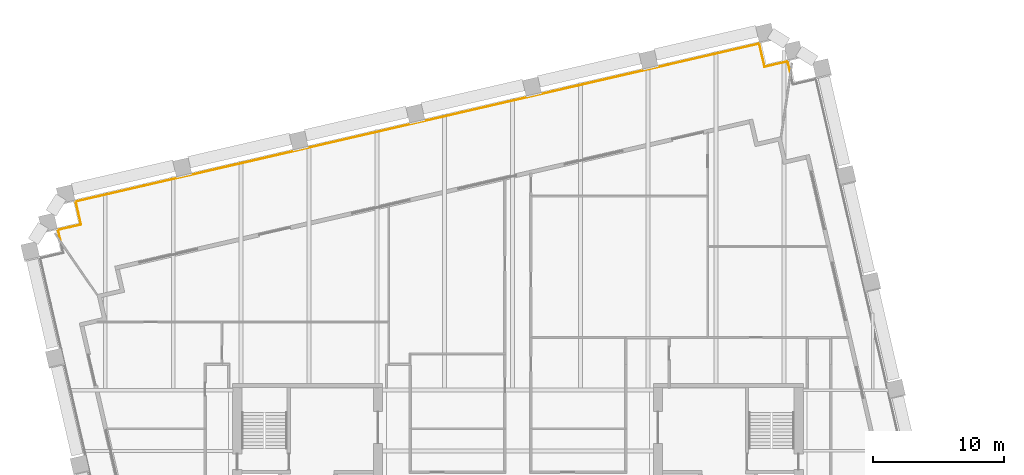
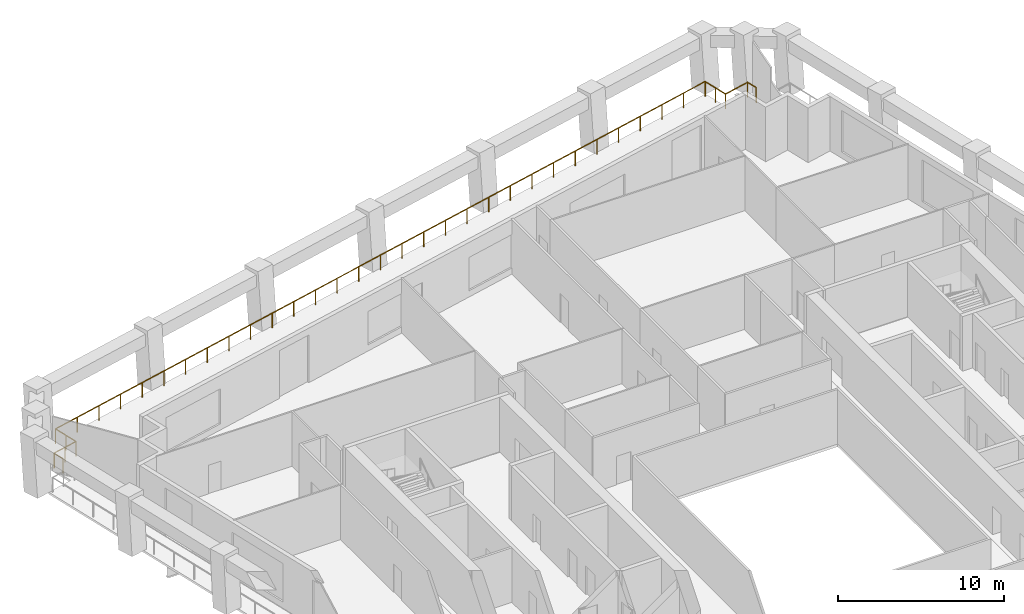
# One storey, part 11 of 11: 1 railing.
"""IFC4 building model written with IfcOpenShell, lengths in metres."""

from ifc_helpers import new_model, si_unit, direction, frame, origin, origin_2d, place, context, subcontext, project, spatial, circle, extrude, material, type_object, element, save


model = new_model("IFC4")

# Units and contexts
model_context = context("Model", 3, precision=1e-05, world=origin(), true_north=direction((0.0, 1.0)))
body_context = subcontext(model_context, "Body", "Model", "MODEL_VIEW")
ifc_project = project(units=[si_unit("LENGTHUNIT", "METRE"), si_unit("AREAUNIT", "SQUARE_METRE"), si_unit("VOLUMEUNIT", "CUBIC_METRE"), si_unit("PLANEANGLEUNIT", "RADIAN"), si_unit("MASSUNIT", "GRAM", prefix="KILO")], contexts=[model_context])

# Site, building, storey
site_placement = place(None, origin())
site = spatial("IfcSite", under=ifc_project, at=site_placement, CompositionType="ELEMENT")
building_placement = place(site_placement, origin())
building = spatial("IfcBuilding", under=site, at=building_placement, Name="Ogive Exchange Tower", CompositionType="ELEMENT")
storey_placement = place(building_placement, frame((0.0, 0.0, 209.39990234375)))
storey = spatial("IfcBuildingStorey", under=building, at=storey_placement, Name="L46", CompositionType="ELEMENT", Elevation=209.39990234375)

# Railing
ifc_material = material(Name="Stainless steel 316", Category="steel")
railing_type = type_object("IfcRailingType", Name="Guard 1100 stainless steel and glass", PredefinedType="GUARDRAIL", material=ifc_material)
railing_placement = place(storey_placement, frame((-34.810546875, 36.67578125, -0.0498046875)))
element("IfcRailing", 1, at=railing_placement, inside=storey, type_object=railing_type, Name="Loggia guard 3", PredefinedType="GUARDRAIL", context=body_context, shape_type="SweptSolid", body=[
    extrude(circle(Radius=0.02392578125, at=origin_2d()), frame((0.0, 0.0, 1.076171875), z_axis=(-0.224974727697, 0.974364599058, 0.0), x_axis=(-0.974364599058, -0.224974727697, 0.0)), (0.0, 0.0, 1.0), 0.773681640625),
    extrude(circle(Radius=0.02392578125, at=origin_2d()), frame((-0.174072265625, 0.75390625, 1.076171875), z_axis=(0.974356896201, 0.225008086135, 0.0), x_axis=(-0.225008086135, 0.974356896201, 0.0)), (0.0, 0.0, 1.0), 1.800048828125),
    extrude(circle(Radius=0.02392578125, at=origin_2d()), frame((1.579833984375, 1.158935546875, 1.076171875), z_axis=(-0.225008086135, 0.974356896201, 0.0), x_axis=(-0.974356896201, -0.225008086135, 0.0)), (0.0, 0.0, 1.0), 1.800048828125),
    extrude(circle(Radius=0.02392578125, at=origin_2d()), frame((1.1748046875, 2.912841796875, 1.076171875), z_axis=(0.97436998541, 0.224951398156, 0.0), x_axis=(-0.224951398156, 0.97436998541, 0.0)), (0.0, 0.0, 1.0), 53.360107421875),
    extrude(circle(Radius=0.02392578125, at=origin_2d()), frame((53.167236328125, 14.916259765625, 1.076171875), z_axis=(0.225008086135, -0.974356896201, 0.0), x_axis=(0.974356896201, 0.225008086135, 0.0)), (0.0, 0.0, 1.0), 1.800048828125),
    extrude(circle(Radius=0.02392578125, at=origin_2d()), frame((53.572265625, 13.162353515625, 1.076171875), z_axis=(0.974379763188, 0.224909041816, 0.0), x_axis=(-0.224909041816, 0.974379763188, 0.0)), (0.0, 0.0, 1.0), 1.7998046875),
    extrude(circle(Radius=0.02392578125, at=origin_2d()), frame((55.325927734375, 13.567138671875, 1.076171875), z_axis=(0.224974727697, -0.974364599058, 0.0), x_axis=(0.974364599058, 0.224974727697, 0.0)), (0.0, 0.0, 1.0), 0.773681640625),
    extrude(circle(Radius=0.02099609375, at=origin_2d()), origin(), (0.0, 0.0, 1.0), 1.052001953125),
    extrude(circle(Radius=0.02099609375, at=origin_2d()), frame((-0.174072265625, 0.75390625, 0.0)), (0.0, 0.0, 1.0), 1.052001953125),
    extrude(circle(Radius=0.02099609375, at=origin_2d()), frame((0.702880859375, 0.95654296875, 0.0)), (0.0, 0.0, 1.0), 1.052001953125),
    extrude(circle(Radius=0.02099609375, at=origin_2d()), frame((1.579833984375, 1.158935546875, 0.0)), (0.0, 0.0, 1.0), 1.052001953125),
    extrude(circle(Radius=0.02099609375, at=origin_2d()), frame((1.37744140625, 2.035888671875, 0.0)), (0.0, 0.0, 1.0), 1.052001953125),
    extrude(circle(Radius=0.02099609375, at=origin_2d()), frame((1.1748046875, 2.912841796875, 0.0)), (0.0, 0.0, 1.0), 1.052001953125),
    extrude(circle(Radius=0.02099609375, at=origin_2d()), frame((2.907958984375, 3.31298828125, 0.0)), (0.0, 0.0, 1.0), 1.052001953125),
    extrude(circle(Radius=0.02099609375, at=origin_2d()), frame((4.640869140625, 3.713134765625, 0.0)), (0.0, 0.0, 1.0), 1.052001953125),
    extrude(circle(Radius=0.02099609375, at=origin_2d()), frame((6.3740234375, 4.11328125, 0.0)), (0.0, 0.0, 1.0), 1.052001953125),
    extrude(circle(Radius=0.02099609375, at=origin_2d()), frame((8.107177734375, 4.51318359375, 0.0)), (0.0, 0.0, 1.0), 1.052001953125),
    extrude(circle(Radius=0.02099609375, at=origin_2d()), frame((9.84033203125, 4.913330078125, 0.0)), (0.0, 0.0, 1.0), 1.052001953125),
    extrude(circle(Radius=0.02099609375, at=origin_2d()), frame((11.5732421875, 5.3134765625, 0.0)), (0.0, 0.0, 1.0), 1.052001953125),
    extrude(circle(Radius=0.02099609375, at=origin_2d()), frame((13.306396484375, 5.713623046875, 0.0)), (0.0, 0.0, 1.0), 1.052001953125),
    extrude(circle(Radius=0.02099609375, at=origin_2d()), frame((15.03955078125, 6.11376953125, 0.0)), (0.0, 0.0, 1.0), 1.052001953125),
    extrude(circle(Radius=0.02099609375, at=origin_2d()), frame((16.7724609375, 6.513916015625, 0.0)), (0.0, 0.0, 1.0), 1.052001953125),
    extrude(circle(Radius=0.02099609375, at=origin_2d()), frame((18.505615234375, 6.9140625, 0.0)), (0.0, 0.0, 1.0), 1.052001953125),
    extrude(circle(Radius=0.02099609375, at=origin_2d()), frame((20.23876953125, 7.314208984375, 0.0)), (0.0, 0.0, 1.0), 1.052001953125),
    extrude(circle(Radius=0.02099609375, at=origin_2d()), frame((21.9716796875, 7.714111328125, 0.0)), (0.0, 0.0, 1.0), 1.052001953125),
    extrude(circle(Radius=0.02099609375, at=origin_2d()), frame((23.704833984375, 8.1142578125, 0.0)), (0.0, 0.0, 1.0), 1.052001953125),
    extrude(circle(Radius=0.02099609375, at=origin_2d()), frame((25.43798828125, 8.514404296875, 0.0)), (0.0, 0.0, 1.0), 1.052001953125),
    extrude(circle(Radius=0.02099609375, at=origin_2d()), frame((27.1708984375, 8.91455078125, 0.0)), (0.0, 0.0, 1.0), 1.052001953125),
    extrude(circle(Radius=0.02099609375, at=origin_2d()), frame((28.904052734375, 9.314697265625, 0.0)), (0.0, 0.0, 1.0), 1.052001953125),
    extrude(circle(Radius=0.02099609375, at=origin_2d()), frame((30.63720703125, 9.71484375, 0.0)), (0.0, 0.0, 1.0), 1.052001953125),
    extrude(circle(Radius=0.02099609375, at=origin_2d()), frame((32.370361328125, 10.114990234375, 0.0)), (0.0, 0.0, 1.0), 1.052001953125),
    extrude(circle(Radius=0.02099609375, at=origin_2d()), frame((34.103271484375, 10.514892578125, 0.0)), (0.0, 0.0, 1.0), 1.052001953125),
    extrude(circle(Radius=0.02099609375, at=origin_2d()), frame((35.83642578125, 10.9150390625, 0.0)), (0.0, 0.0, 1.0), 1.052001953125),
    extrude(circle(Radius=0.02099609375, at=origin_2d()), frame((37.569580078125, 11.315185546875, 0.0)), (0.0, 0.0, 1.0), 1.052001953125),
    extrude(circle(Radius=0.02099609375, at=origin_2d()), frame((39.302490234375, 11.71533203125, 0.0)), (0.0, 0.0, 1.0), 1.052001953125),
    extrude(circle(Radius=0.02099609375, at=origin_2d()), frame((41.03564453125, 12.115478515625, 0.0)), (0.0, 0.0, 1.0), 1.052001953125),
    extrude(circle(Radius=0.02099609375, at=origin_2d()), frame((42.768798828125, 12.515625, 0.0)), (0.0, 0.0, 1.0), 1.052001953125),
    extrude(circle(Radius=0.02099609375, at=origin_2d()), frame((44.501953125, 12.915771484375, 0.0)), (0.0, 0.0, 1.0), 1.052001953125),
    extrude(circle(Radius=0.02099609375, at=origin_2d()), frame((46.23486328125, 13.31591796875, 0.0)), (0.0, 0.0, 1.0), 1.052001953125),
    extrude(circle(Radius=0.02099609375, at=origin_2d()), frame((47.968017578125, 13.7158203125, 0.0)), (0.0, 0.0, 1.0), 1.052001953125),
    extrude(circle(Radius=0.02099609375, at=origin_2d()), frame((49.701171875, 14.115966796875, 0.0)), (0.0, 0.0, 1.0), 1.052001953125),
    extrude(circle(Radius=0.02099609375, at=origin_2d()), frame((51.43408203125, 14.51611328125, 0.0)), (0.0, 0.0, 1.0), 1.052001953125),
    extrude(circle(Radius=0.02099609375, at=origin_2d()), frame((53.167236328125, 14.916259765625, 0.0)), (0.0, 0.0, 1.0), 1.052001953125),
    extrude(circle(Radius=0.02099609375, at=origin_2d()), frame((53.36962890625, 14.039306640625, 0.0)), (0.0, 0.0, 1.0), 1.052001953125),
    extrude(circle(Radius=0.02099609375, at=origin_2d()), frame((53.572265625, 13.162353515625, 0.0)), (0.0, 0.0, 1.0), 1.052001953125),
    extrude(circle(Radius=0.02099609375, at=origin_2d()), frame((55.325927734375, 13.567138671875, 0.0)), (0.0, 0.0, 1.0), 1.052001953125),
    extrude(circle(Radius=0.02099609375, at=origin_2d()), frame((55.5, 12.813232421875, 0.0)), (0.0, 0.0, 1.0), 1.052001953125),
])

save(model, "model.ifc")
